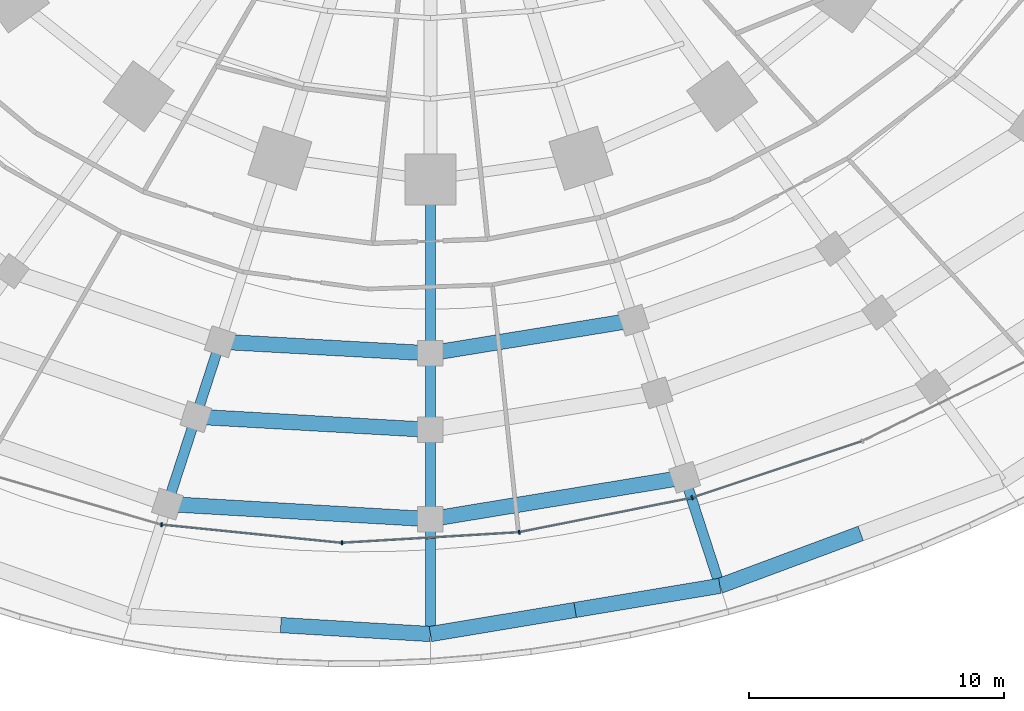
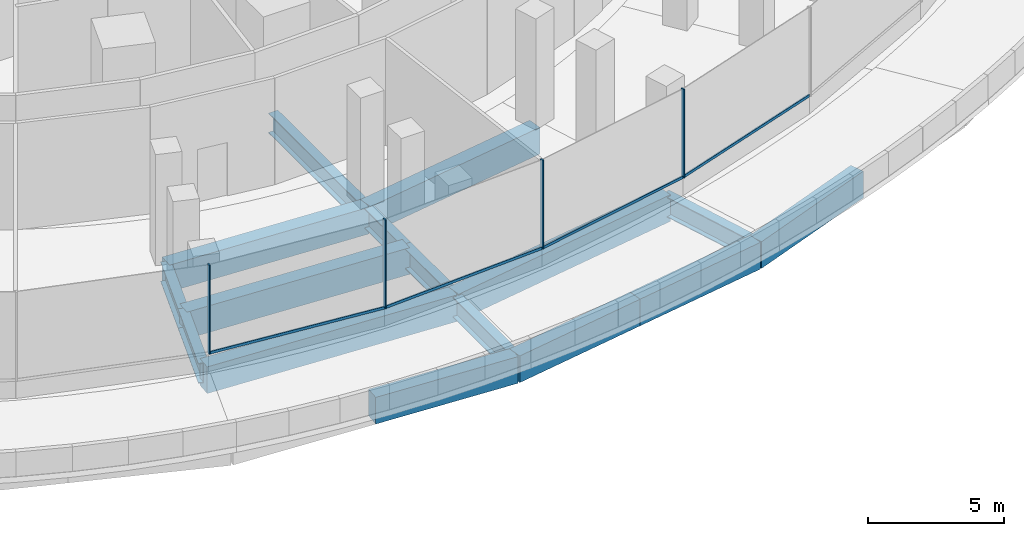
# One storey, part 5 of 31: 16 beams, 8 members, 1 element without a shape of its own.
"""IFC4 building model written with IfcOpenShell, lengths in metres."""

import ifcopenshell
import ifcopenshell.guid

model = None  # the IFC model being written
_history = None  # IfcOwnerHistory: only IFC2X3 demands one
_inside = {}  # id of a spatial element -> (the spatial element, [elements in it])
_under = {}  # id of a project, library or spatial element -> (it, [spatial elements below it])
_declared = {}  # id of a project -> (the project, [libraries it declares])
_typed = {}  # id of a type object -> (the type object, [elements of that type])
_made_of = {}  # id of a material, layer set ... -> (it, [elements and type objects made of it])


def new_model(schema):
    """Start an empty IFC model of exactly this schema.

    Asked for "IFC4X3", IfcOpenShell would pick the latest addendum, in which some entities
    have other attributes; the version numbers below select the first issue.
    IFC2X3 requires an IfcOwnerHistory on every rooted entity: one is made here for all.
    """
    global model, _history
    if schema == "IFC4X3":
        model = ifcopenshell.file(schema_version=(4, 3, 0, 0))
    else:
        model = ifcopenshell.file(schema=schema)
    _inside.clear()
    _under.clear()
    _declared.clear()
    _typed.clear()
    _made_of.clear()
    _history = None
    if model.schema == "IFC2X3":
        org = make("IfcOrganization", Name="unknown")
        user = make(
            "IfcPersonAndOrganization",
            ThePerson=make("IfcPerson", FamilyName="unknown"),
            TheOrganization=org,
        )
        app = make(
            "IfcApplication",
            ApplicationDeveloper=org,
            Version="unknown",
            ApplicationFullName="unknown",
            ApplicationIdentifier="unknown",
        )
        _history = make(
            "IfcOwnerHistory",
            OwningUser=user,
            OwningApplication=app,
            ChangeAction="ADDED",
            CreationDate=0,
        )
    return model


def make(cls, **values):
    """One entity of the class cls with the attributes given. An attribute that is None is left unset."""
    return model.create_entity(
        cls, **{name: value for name, value in values.items() if value is not None}
    )


def rooted(cls, **values):
    """An entity with a GlobalId (a new one), such as an element, a storey or a relation."""
    return make(cls, GlobalId=ifcopenshell.guid.new(), OwnerHistory=_history, **values)


def si_unit(unit_type, name, prefix=None):
    """IfcSIUnit, for example si_unit("LENGTHUNIT", "METRE", prefix="MILLI")."""
    return make("IfcSIUnit", UnitType=unit_type, Prefix=prefix, Name=name)


def assignment(units):
    """IfcUnitAssignment: the units of a project."""
    return None if units is None else make("IfcUnitAssignment", Units=units)


def point(xyz):
    """IfcCartesianPoint."""
    return None if xyz is None else make("IfcCartesianPoint", Coordinates=xyz)


def direction(xyz):
    """IfcDirection."""
    return None if xyz is None else make("IfcDirection", DirectionRatios=xyz)


def frame(location, z_axis=None, x_axis=None):
    """IfcAxis2Placement3D, a coordinate frame: its origin and axes. An axis left out is left unset."""
    return make(
        "IfcAxis2Placement3D",
        Location=point(location),
        Axis=direction(z_axis),
        RefDirection=direction(x_axis),
    )


def frame_2d(location, x_axis=None):
    """IfcAxis2Placement2D, a coordinate frame in the plane: its origin and x axis."""
    return make(
        "IfcAxis2Placement2D", Location=point(location), RefDirection=direction(x_axis)
    )


def origin():
    """The frame at (0, 0, 0) with its axes left unset."""
    return frame((0.0, 0.0, 0.0))


def origin_2d():
    """The frame at (0, 0) in the plane with its x axis left unset."""
    return frame_2d((0.0, 0.0))


def place(relative_to, where):
    """IfcLocalPlacement: puts the frame where relative to a parent placement (None: the world)."""
    return make(
        "IfcLocalPlacement", PlacementRelTo=relative_to, RelativePlacement=where
    )


def context(
    kind, dimensions, precision=None, world=None, true_north=None, identifier=None
):
    """IfcGeometricRepresentationContext, for example the 3D "Model" context."""
    return make(
        "IfcGeometricRepresentationContext",
        ContextIdentifier=identifier,
        ContextType=kind,
        CoordinateSpaceDimension=dimensions,
        Precision=precision,
        WorldCoordinateSystem=world,
        TrueNorth=true_north,
    )


def subcontext(parent, identifier, kind, view, scale=None):
    """IfcGeometricRepresentationSubContext, for example "Body" below "Model"."""
    return make(
        "IfcGeometricRepresentationSubContext",
        ContextIdentifier=identifier,
        ContextType=kind,
        ParentContext=parent,
        TargetScale=scale,
        TargetView=view,
    )


def project(units=None, contexts=None):
    """IfcProject with its units and contexts."""
    return rooted(
        "IfcProject",
        Name="project",
        RepresentationContexts=contexts,
        UnitsInContext=assignment(units),
    )


def spatial(cls, under=None, at=None, **own):
    """A site, building, storey or space (cls), placed at a placement, below another one or the project."""
    s = rooted(cls, ObjectPlacement=at, **own)
    if under is not None:
        _under.setdefault(under.id(), (under, []))[1].append(s)
    return s


def profile(cls, at=None, kind="AREA", **sizes):
    """A parametric profile (cls). Its sizes go by their IFC names, for example OverallWidth=200.0."""
    return make(cls, ProfileType=kind, Position=at, **sizes)


def rectangle(**sizes):
    """IfcRectangleProfileDef."""
    return profile("IfcRectangleProfileDef", **sizes)


def i_section(**sizes):
    """IfcIShapeProfileDef."""
    return profile("IfcIShapeProfileDef", **sizes)


def extrude(swept, where, along, depth):
    """IfcExtrudedAreaSolid: the profile swept, set in the frame where, extruded along a direction by depth."""
    return make(
        "IfcExtrudedAreaSolid",
        SweptArea=swept,
        Position=where,
        ExtrudedDirection=direction(along),
        Depth=depth,
    )


def shape(context_of_items, identifier, shape_type, items):
    """IfcShapeRepresentation: the items that make up one representation, for example the "Body"."""
    return make(
        "IfcShapeRepresentation",
        ContextOfItems=context_of_items,
        RepresentationIdentifier=identifier,
        RepresentationType=shape_type,
        Items=items,
    )


def material(Name=None, Category=None):
    """IfcMaterial."""
    return make("IfcMaterial", Name=Name, Category=Category)


def material_profile(
    of_material, cross_section, Name=None, Category=None, Priority=None
):
    """IfcMaterialProfile: a cross section and its material."""
    return make(
        "IfcMaterialProfile",
        Name=Name,
        Material=of_material,
        Profile=cross_section,
        Priority=Priority,
        Category=Category,
    )


def profile_set(profiles, Name=None, composite=None):
    """IfcMaterialProfileSet."""
    return make(
        "IfcMaterialProfileSet",
        Name=Name,
        MaterialProfiles=profiles,
        CompositeProfile=composite,
    )


def made_of(thing, what):
    """Note that an element or type object is made of a material, layer set ...; save() writes the relation."""
    if what is not None:
        _made_of.setdefault(what.id(), (what, []))[1].append(thing)
    return thing


def type_object(cls, material=None, **own):
    """A type object (cls), such as IfcWallType, which elements share."""
    return made_of(rooted(cls, **own), material)


def element(
    cls,
    number,
    at=None,
    inside=None,
    cuts=None,
    type_object=None,
    material=None,
    context=None,
    identifier="Body",
    shape_type=None,
    held_by="IfcProductDefinitionShape",
    body=None,
    shapes=None,
    **own,
):
    """One element of the class cls, such as IfcWall. Its Tag is "e" and its number.

    at: its placement. inside: the storey or other place that contains it. cuts: it is an
    opening in that element (IfcRelVoidsElement). A single representation is given by context,
    identifier, shape_type and body (its items); several are given by shapes. held_by: the class
    of the entity that holds the representations. save() writes the other relations.
    """
    e = rooted(cls, Tag="e%d" % number, ObjectPlacement=at, **own)
    if body is not None:
        shapes = [shape(context, identifier, shape_type, body)]
    if shapes is not None:
        e.Representation = make(held_by, Representations=shapes)
    if inside is not None:
        _inside.setdefault(inside.id(), (inside, []))[1].append(e)
    if cuts is not None:
        rooted(
            "IfcRelVoidsElement", RelatingBuildingElement=cuts, RelatedOpeningElement=e
        )
    if type_object is not None:
        _typed.setdefault(type_object.id(), (type_object, []))[1].append(e)
    return made_of(e, material)


def aggregate(whole, parts):
    """IfcRelAggregates: a whole, such as a stair, and the parts it consists of."""
    return rooted("IfcRelAggregates", RelatingObject=whole, RelatedObjects=parts)


def save(model, path):
    """Write the relations noted so far, then the file.

    IfcRelAggregates (storeys below a building ...), IfcRelContainedInSpatialStructure (elements
    in a storey), IfcRelDefinesByType, IfcRelAssociatesMaterial and IfcRelDeclares: one each for
    every whole, place, type object, material and project.
    """
    for whole, parts in _under.values():
        aggregate(whole, parts)
    for where, things in _inside.values():
        rooted(
            "IfcRelContainedInSpatialStructure",
            RelatedElements=things,
            RelatingStructure=where,
        )
    for kind, things in _typed.values():
        rooted("IfcRelDefinesByType", RelatedObjects=things, RelatingType=kind)
    for what, things in _made_of.values():
        rooted("IfcRelAssociatesMaterial", RelatedObjects=things, RelatingMaterial=what)
    for by, libraries in _declared.values():
        rooted("IfcRelDeclares", RelatingContext=by, RelatedDefinitions=libraries)
    model.write(path)


model = new_model("IFC4")

# Units and contexts
model_context = context("Model", 3, precision=1e-05, world=origin(), true_north=direction((0.0, 1.0)))
body_context = subcontext(model_context, "Body", "Model", "MODEL_VIEW")
ifc_project = project(units=[si_unit("LENGTHUNIT", "METRE"), si_unit("AREAUNIT", "SQUARE_METRE"), si_unit("VOLUMEUNIT", "CUBIC_METRE"), si_unit("PLANEANGLEUNIT", "RADIAN"), si_unit("MASSUNIT", "GRAM", prefix="KILO")], contexts=[model_context])

# Site, building, storey
site_placement = place(None, origin())
site = spatial("IfcSite", under=ifc_project, at=site_placement, CompositionType="ELEMENT")
building_placement = place(site_placement, origin())
building = spatial("IfcBuilding", under=site, at=building_placement, Name="Marramba Exchange Tower", CompositionType="ELEMENT")
storey_placement = place(building_placement, frame((0.0, 0.0, 5.60009765625)))
storey = spatial("IfcBuildingStorey", under=building, at=storey_placement, Name="L01", CompositionType="ELEMENT", Elevation=5.60009765625)

# Beams
ifc_material_1 = material(Name="Concrete N50", Category="concrete")
ifc_material_profile_1 = material_profile(ifc_material_1, rectangle(XDim=0.60009765625, YDim=1.199951171875, at=origin_2d()), Name="RC 600x1200")
ifc_profile_set_1 = profile_set([ifc_material_profile_1], Name="Concrete N50")
beam_type_1 = type_object("IfcBeamType", Name="Edge beam RC 600x1200 N50", PredefinedType="SPANDREL", material=ifc_profile_set_1)
beam_1_placement = place(storey_placement, frame((-5.8642578125, -36.44873046875, -0.85009765625), z_axis=(0.998210307217, -0.05980119201, 0.0), x_axis=(0.05980119201, 0.998210307217, 0.0)))
element("IfcBeam", 1, at=beam_1_placement, inside=storey, type_object=beam_type_1, Name="Edge beam L01 P0C15 half 2", PredefinedType="SPANDREL", context=body_context, shape_type="SweptSolid", body=[
    extrude(rectangle(XDim=0.60009765625, YDim=1.199951171875, at=origin_2d()), origin(), (0.0, 0.0, 1.0), 5.874755859375),
])
beam_2_placement = place(storey_placement, frame((0.0, -36.800048828125, -0.85009765625), z_axis=(0.98642030603, 0.164240615717, 0.0), x_axis=(-0.164240615717, 0.98642030603, 0.0)))
element("IfcBeam", 2, at=beam_2_placement, inside=storey, type_object=beam_type_1, Name="Edge beam L01 P0C16 half 1", PredefinedType="SPANDREL", context=body_context, shape_type="SweptSolid", body=[
    extrude(rectangle(XDim=0.60009765625, YDim=1.199951171875, at=origin_2d()), origin(), (0.0, 0.0, 1.0), 5.749755859375),
])
beam_3_placement = place(storey_placement, frame((5.671630859375, -35.855712890625, -0.85009765625), z_axis=(0.986421451353, 0.164233736821, 0.0), x_axis=(-0.164233736821, 0.986421451353, 0.0)))
element("IfcBeam", 3, at=beam_3_placement, inside=storey, type_object=beam_type_1, Name="Edge beam L01 P0C16 half 2", PredefinedType="SPANDREL", context=body_context, shape_type="SweptSolid", body=[
    extrude(rectangle(XDim=0.60009765625, YDim=1.199951171875, at=origin_2d()), origin(), (0.0, 0.0, 1.0), 5.75),
])
beam_4_placement = place(storey_placement, frame((11.343505859375, -34.911376953125, -0.85009765625), z_axis=(0.937168261872, 0.348877699115, 0.0), x_axis=(-0.348877699115, 0.937168261872, 0.0)))
element("IfcBeam", 4, at=beam_4_placement, inside=storey, type_object=beam_type_1, Name="Edge beam L01 P0C17 half 1", PredefinedType="SPANDREL", context=body_context, shape_type="SweptSolid", body=[
    extrude(rectangle(XDim=0.60009765625, YDim=1.199951171875, at=origin_2d()), origin(), (0.0, 0.0, 1.0), 5.887939453125),
])
beam_5_placement = place(storey_placement, frame((-10.302001953125, -31.706298828125, -0.800048828125), z_axis=(0.99834326258, -0.057538943873, 0.0), x_axis=(0.057538943873, 0.99834326258, 0.0)))
element("IfcBeam", 5, at=beam_5_placement, inside=storey, type_object=beam_type_1, Name="Edge beam L01 P1C15", PredefinedType="SPANDREL", context=body_context, shape_type="SweptSolid", body=[
    extrude(rectangle(XDim=0.60009765625, YDim=1.199951171875, at=origin_2d()), origin(), (0.0, 0.0, 1.0), 10.319091796875),
])
beam_6_placement = place(storey_placement, frame((0.0, -32.300048828125, -0.800048828125), z_axis=(0.986720687671, 0.16242624333, 0.0), x_axis=(-0.16242624333, 0.986720687671, 0.0)))
element("IfcBeam", 6, at=beam_6_placement, inside=storey, type_object=beam_type_1, Name="Edge beam L01 P1C16", PredefinedType="SPANDREL", context=body_context, shape_type="SweptSolid", body=[
    extrude(rectangle(XDim=0.60009765625, YDim=1.199951171875, at=origin_2d()), origin(), (0.0, 0.0, 1.0), 10.09619140625),
])
beam_7_placement = place(storey_placement, frame((-9.190185546875, -28.28466796875, -0.800048828125), z_axis=(0.998431244986, -0.055991508598, 0.0), x_axis=(0.055991508598, 0.998431244986, 0.0)))
element("IfcBeam", 7, at=beam_7_placement, inside=storey, type_object=beam_type_1, Name="Edge beam L01 P2C15", PredefinedType="SPANDREL", context=body_context, shape_type="SweptSolid", body=[
    extrude(rectangle(XDim=0.60009765625, YDim=1.199951171875, at=origin_2d()), origin(), (0.0, 0.0, 1.0), 9.20458984375),
])
beam_8_placement = place(storey_placement, frame((-8.23583984375, -25.347412109375, -0.800048828125), z_axis=(0.998493145598, -0.054876572358, 0.0), x_axis=(0.054876572358, 0.998493145598, 0.0)))
element("IfcBeam", 8, at=beam_8_placement, inside=storey, type_object=beam_type_1, Name="Edge beam L01 P3C15", PredefinedType="SPANDREL", context=body_context, shape_type="SweptSolid", body=[
    extrude(rectangle(XDim=0.60009765625, YDim=1.199951171875, at=origin_2d()), origin(), (0.0, 0.0, 1.0), 8.248291015625),
])
beam_9_placement = place(storey_placement, frame((0.0, -25.800048828125, -0.800048828125), z_axis=(0.987006935066, 0.160677659091, 0.0), x_axis=(-0.160677659091, 0.987006935066, 0.0)))
element("IfcBeam", 9, at=beam_9_placement, inside=storey, type_object=beam_type_1, Name="Edge beam L01 P3C16", PredefinedType="SPANDREL", context=body_context, shape_type="SweptSolid", body=[
    extrude(rectangle(XDim=0.60009765625, YDim=1.199951171875, at=origin_2d()), origin(), (0.0, 0.0, 1.0), 8.066650390625),
])

# Curtain wall, members
ifc_material_2 = material(Name="Aluminium framing, bronze anodised", Category="aluminium")
curtain_wall_type = type_object("IfcCurtainWallType", Name="Podium ribbon curtain wall", PredefinedType="USERDEFINED", material=ifc_material_2)
curtain_wall_placement = place(storey_placement, origin())
curtain_wall = element("IfcCurtainWall", 10, at=curtain_wall_placement, inside=storey, type_object=curtain_wall_type, Name="Curtain wall CW2 L01 F21-F25", ObjectType="RIBBON CURTAIN WALL", PredefinedType="USERDEFINED")
ifc_material_3 = material(Name="Aluminium mullion, bronze anodised", Category="aluminium")
ifc_material_profile_2 = material_profile(ifc_material_3, rectangle(XDim=0.159912109375, YDim=0.06005859375, at=origin_2d()), Name="CW2 mullion 60x160")
ifc_profile_set_2 = profile_set([ifc_material_profile_2], Name="Aluminium mullion, bronze anodised")
member_type_1 = type_object("IfcMemberType", Name="Podium ribbon curtain wall mullion", PredefinedType="MULLION", material=ifc_profile_set_2)
member_1_placement = place(storey_placement, frame((-10.534912109375, -32.517822265625, 0.7998046875), z_axis=(0.0, 0.0, 1.0), x_axis=(0.100505866042, 0.994936465756, 0.0)))
member_1 = element("IfcMember", 11, at=member_1_placement, type_object=member_type_1, Name="CW2 mullion 1", PredefinedType="MULLION", context=body_context, shape_type="SweptSolid", body=[
    extrude(rectangle(XDim=0.159912109375, YDim=0.06005859375, at=origin_2d()), origin(), (0.0, 0.0, 1.0), 4.0),
])
member_2_placement = place(storey_placement, frame((-3.462646484375, -33.227294921875, 0.7998046875), z_axis=(0.0, 0.0, 1.0), x_axis=(-0.059317210151, 0.998239184054, 0.0)))
member_2 = element("IfcMember", 12, at=member_2_placement, type_object=member_type_1, Name="CW2 mullion 1", PredefinedType="MULLION", context=body_context, shape_type="SweptSolid", body=[
    extrude(rectangle(XDim=0.159912109375, YDim=0.06005859375, at=origin_2d()), origin(), (0.0, 0.0, 1.0), 4.0),
])
member_3_placement = place(storey_placement, frame((3.478515625, -32.810791015625, 0.7998046875), z_axis=(0.0, 0.0, 1.0), x_axis=(-0.195119672541, 0.980779441764, 0.0)))
member_3 = element("IfcMember", 13, at=member_3_placement, type_object=member_type_1, Name="CW2 mullion 1", PredefinedType="MULLION", context=body_context, shape_type="SweptSolid", body=[
    extrude(rectangle(XDim=0.159912109375, YDim=0.06005859375, at=origin_2d()), origin(), (0.0, 0.0, 1.0), 4.0),
])
member_4_placement = place(storey_placement, frame((10.253173828125, -31.459228515625, 0.7998046875), z_axis=(0.0, 0.0, 1.0), x_axis=(-0.315474367855, 0.948934098463, 0.0)))
member_4 = element("IfcMember", 14, at=member_4_placement, type_object=member_type_1, Name="CW2 mullion 1", PredefinedType="MULLION", context=body_context, shape_type="SweptSolid", body=[
    extrude(rectangle(XDim=0.159912109375, YDim=0.06005859375, at=origin_2d()), origin(), (0.0, 0.0, 1.0), 4.0),
])
ifc_material_4 = material(Name="Aluminium transom, bronze anodised", Category="aluminium")
ifc_material_profile_3 = material_profile(ifc_material_4, rectangle(XDim=0.06005859375, YDim=0.1201171875, at=origin_2d()), Name="CW2 transom 60x120")
ifc_profile_set_3 = profile_set([ifc_material_profile_3], Name="Aluminium transom, bronze anodised")
member_type_2 = type_object("IfcMemberType", Name="Podium ribbon curtain wall transom", PredefinedType="USERDEFINED", material=ifc_profile_set_3)
member_5_placement = place(storey_placement, frame((-10.5048828125, -32.520751953125, 0.829833984375), z_axis=(0.994934809742, -0.100522258047, 0.0), x_axis=(0.100522258047, 0.994934809742, 0.0)))
member_5 = element("IfcMember", 15, at=member_5_placement, type_object=member_type_2, Name="CW2 sill transom", ObjectType="TRANSOM", PredefinedType="USERDEFINED", context=body_context, shape_type="SweptSolid", body=[
    extrude(rectangle(XDim=0.06005859375, YDim=0.1201171875, at=origin_2d()), origin(), (0.0, 0.0, 1.0), 7.048095703125),
])
member_6_placement = place(storey_placement, frame((-3.4326171875, -33.2255859375, 0.829833984375), z_axis=(0.998239148104, 0.059317815137, 0.0), x_axis=(-0.059317815137, 0.998239148104, 0.0)))
member_6 = element("IfcMember", 16, at=member_6_placement, type_object=member_type_2, Name="CW2 sill transom", ObjectType="TRANSOM", PredefinedType="USERDEFINED", context=body_context, shape_type="SweptSolid", body=[
    extrude(rectangle(XDim=0.06005859375, YDim=0.1201171875, at=origin_2d()), origin(), (0.0, 0.0, 1.0), 6.89404296875),
])
member_7_placement = place(storey_placement, frame((3.508056640625, -32.804931640625, 0.829833984375), z_axis=(0.98078171311, 0.195108255156, 0.0), x_axis=(-0.195108255156, 0.98078171311, 0.0)))
member_7 = element("IfcMember", 17, at=member_7_placement, type_object=member_type_2, Name="CW2 sill transom", ObjectType="TRANSOM", PredefinedType="USERDEFINED", context=body_context, shape_type="SweptSolid", body=[
    extrude(rectangle(XDim=0.06005859375, YDim=0.1201171875, at=origin_2d()), origin(), (0.0, 0.0, 1.0), 6.848388671875),
])
member_8_placement = place(storey_placement, frame((10.28173828125, -31.44970703125, 0.829833984375), z_axis=(0.948938945546, 0.315459787654, 0.0), x_axis=(-0.315459787654, 0.948938945546, 0.0)))
member_8 = element("IfcMember", 18, at=member_8_placement, type_object=member_type_2, Name="CW2 sill transom", ObjectType="TRANSOM", PredefinedType="USERDEFINED", context=body_context, shape_type="SweptSolid", body=[
    extrude(rectangle(XDim=0.06005859375, YDim=0.1201171875, at=origin_2d()), origin(), (0.0, 0.0, 1.0), 6.962890625),
])
aggregate(curtain_wall, [member_1, member_5, member_2, member_6, member_3, member_7, member_4, member_8])

# Beams
ifc_material_5 = material(Name="Steel AS/NZS 3679.2 grade 300", Category="steel")
ifc_material_profile_4 = material_profile(ifc_material_5, i_section(OverallWidth=0.39990234375, OverallDepth=0.89990234375, WebThickness=0.01611328125, FlangeThickness=0.031982421875, at=origin_2d()), Name="900WB282")
ifc_profile_set_4 = profile_set([ifc_material_profile_4], Name="Steel AS/NZS 3679.2 grade 300")
beam_type_2 = type_object("IfcBeamType", Name="Radial girder 900WB282", PredefinedType="BEAM", material=ifc_profile_set_4)
beam_10_placement = place(storey_placement, frame((0.0, -36.800048828125, -0.7001953125), z_axis=(0.0, 1.0, 0.0), x_axis=(-1.0, 0.0, 0.0)))
element("IfcBeam", 19, at=beam_10_placement, inside=storey, type_object=beam_type_2, Name="Radial girder L01 P0C16", PredefinedType="BEAM", context=body_context, shape_type="SweptSolid", body=[
    extrude(i_section(OverallWidth=0.39990234375, OverallDepth=0.89990234375, WebThickness=0.01611328125, FlangeThickness=0.031982421875, at=origin_2d()), origin(), (0.0, 0.0, 1.0), 4.5),
])
beam_11_placement = place(storey_placement, frame((11.343505859375, -34.911376953125, -0.7001953125), z_axis=(-0.309025557178, 0.951053734029, 0.0), x_axis=(-0.951053734029, -0.309025557178, 0.0)))
element("IfcBeam", 20, at=beam_11_placement, inside=storey, type_object=beam_type_2, Name="Radial girder L01 P0C17", PredefinedType="BEAM", context=body_context, shape_type="SweptSolid", body=[
    extrude(i_section(OverallWidth=0.39990234375, OverallDepth=0.89990234375, WebThickness=0.01611328125, FlangeThickness=0.031982421875, at=origin_2d()), origin(), (0.0, 0.0, 1.0), 4.469970703125),
])
beam_12_placement = place(storey_placement, frame((-10.302001953125, -31.706298828125, -0.650146484375), z_axis=(0.309032367287, 0.951051521196, 0.0), x_axis=(-0.951051521196, 0.309032367287, 0.0)))
element("IfcBeam", 21, at=beam_12_placement, inside=storey, type_object=beam_type_2, Name="Radial girder L01 P1C15", PredefinedType="BEAM", context=body_context, shape_type="SweptSolid", body=[
    extrude(i_section(OverallWidth=0.39990234375, OverallDepth=0.89990234375, WebThickness=0.01611328125, FlangeThickness=0.031982421875, at=origin_2d()), origin(), (0.0, 0.0, 1.0), 3.59765625),
])
beam_13_placement = place(storey_placement, frame((0.0, -32.300048828125, -0.650146484375), z_axis=(0.0, 1.0, 0.0), x_axis=(-1.0, 0.0, 0.0)))
element("IfcBeam", 22, at=beam_13_placement, inside=storey, type_object=beam_type_2, Name="Radial girder L01 P1C16", PredefinedType="BEAM", context=body_context, shape_type="SweptSolid", body=[
    extrude(i_section(OverallWidth=0.39990234375, OverallDepth=0.89990234375, WebThickness=0.01611328125, FlangeThickness=0.031982421875, at=origin_2d()), origin(), (0.0, 0.0, 1.0), 3.5),
])
beam_14_placement = place(storey_placement, frame((-9.190185546875, -28.28466796875, -0.650146484375), z_axis=(0.309009210268, 0.951059045469, 0.0), x_axis=(-0.951059045469, 0.309009210268, 0.0)))
element("IfcBeam", 23, at=beam_14_placement, inside=storey, type_object=beam_type_2, Name="Radial girder L01 P2C15", PredefinedType="BEAM", context=body_context, shape_type="SweptSolid", body=[
    extrude(i_section(OverallWidth=0.39990234375, OverallDepth=0.89990234375, WebThickness=0.01611328125, FlangeThickness=0.031982421875, at=origin_2d()), origin(), (0.0, 0.0, 1.0), 3.08837890625),
])
beam_15_placement = place(storey_placement, frame((0.0, -28.800048828125, -0.650146484375), z_axis=(0.0, 1.0, 0.0), x_axis=(-1.0, 0.0, 0.0)))
element("IfcBeam", 24, at=beam_15_placement, inside=storey, type_object=beam_type_2, Name="Radial girder L01 P2C16", PredefinedType="BEAM", context=body_context, shape_type="SweptSolid", body=[
    extrude(i_section(OverallWidth=0.39990234375, OverallDepth=0.89990234375, WebThickness=0.01611328125, FlangeThickness=0.031982421875, at=origin_2d()), origin(), (0.0, 0.0, 1.0), 3.0),
])
beam_16_placement = place(storey_placement, frame((0.0, -25.800048828125, -0.650146484375), z_axis=(0.0, 1.0, 0.0), x_axis=(-1.0, 0.0, 0.0)))
element("IfcBeam", 25, at=beam_16_placement, inside=storey, type_object=beam_type_2, Name="Radial girder L01 P3C16", PredefinedType="BEAM", context=body_context, shape_type="SweptSolid", body=[
    extrude(i_section(OverallWidth=0.39990234375, OverallDepth=0.89990234375, WebThickness=0.01611328125, FlangeThickness=0.031982421875, at=origin_2d()), origin(), (0.0, 0.0, 1.0), 6.803955078125),
])

save(model, "model.ifc")
